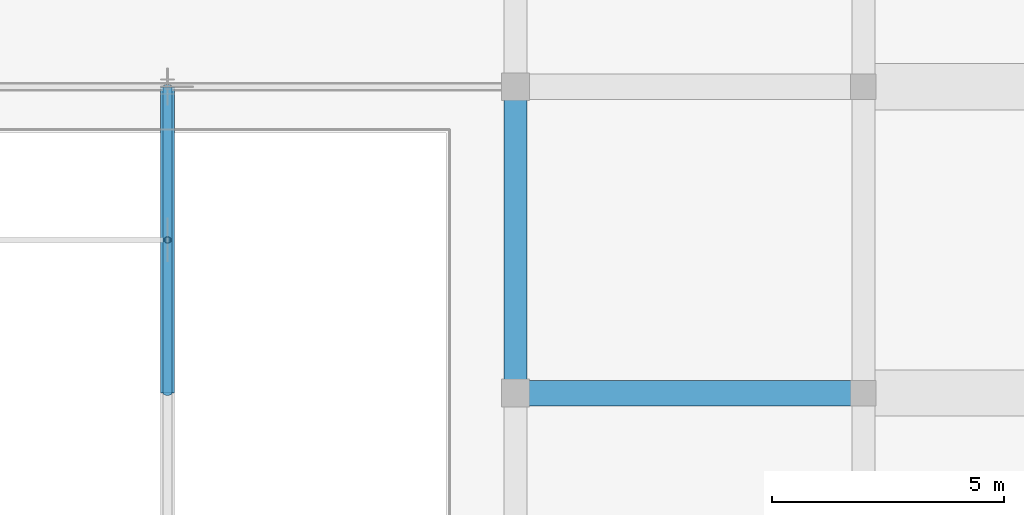
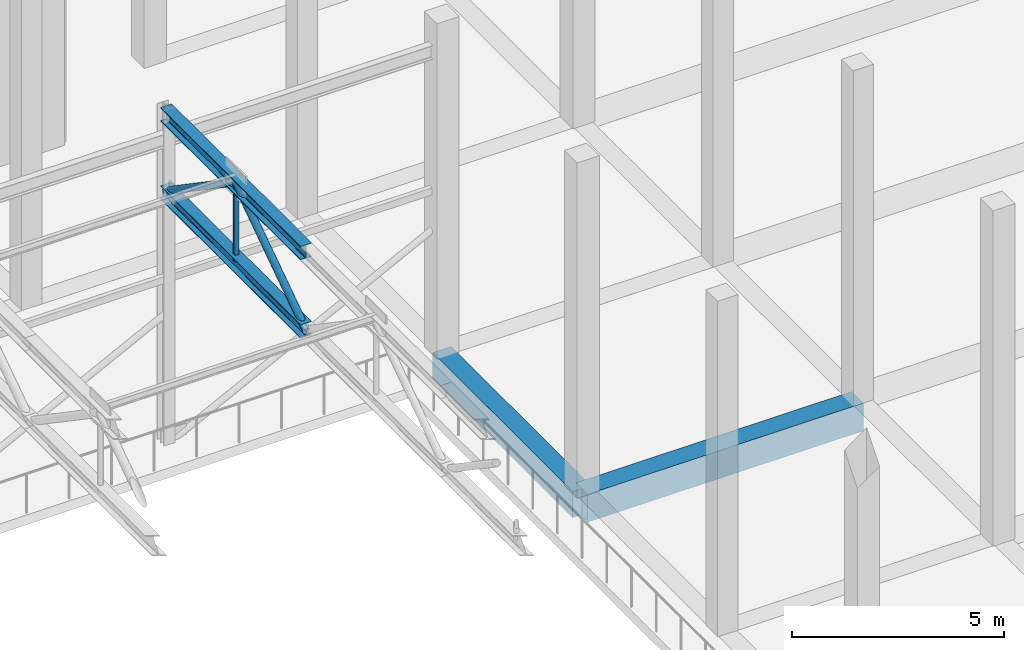
# One storey, part 45 of 80: 5 members, 2 beams.
"""IFC4 building model written with IfcOpenShell, lengths in metres."""

from ifc_helpers import new_model, si_unit, direction, frame, origin, origin_2d, place, context, subcontext, project, spatial, rectangle, hollow_circle, i_section, extrude, material, material_profile, profile_set, type_object, element, save


model = new_model("IFC4")

# Units and contexts
model_context = context("Model", 3, precision=1e-05, world=origin(), true_north=direction((0.0, 1.0)))
body_context = subcontext(model_context, "Body", "Model", "MODEL_VIEW")
ifc_project = project(units=[si_unit("LENGTHUNIT", "METRE"), si_unit("AREAUNIT", "SQUARE_METRE"), si_unit("VOLUMEUNIT", "CUBIC_METRE"), si_unit("PLANEANGLEUNIT", "RADIAN"), si_unit("MASSUNIT", "GRAM", prefix="KILO")], contexts=[model_context])

# Site, building, storey
site_placement = place(None, origin())
site = spatial("IfcSite", under=ifc_project, at=site_placement, CompositionType="ELEMENT")
building_placement = place(site_placement, origin())
building = spatial("IfcBuilding", under=site, at=building_placement, Name="Akrevak Sports Hall", CompositionType="ELEMENT")
storey_placement = place(building_placement, frame((0.0, 0.0, 14.0)))
storey = spatial("IfcBuildingStorey", under=building, at=storey_placement, Name="L03", CompositionType="ELEMENT", Elevation=14.0)

# Beams
ifc_material_1 = material(Name="Concrete C40/50", Category="concrete")
ifc_material_profile_1 = material_profile(ifc_material_1, rectangle(XDim=0.5, YDim=0.75, at=origin_2d()), Name="BM 500x750", Category="concrete")
ifc_profile_set_1 = profile_set([ifc_material_profile_1], Name="Concrete C40/50")
beam_type_1 = type_object("IfcBeamType", Name="STR-BM-RC500x750", PredefinedType="BEAM", material=ifc_profile_set_1)
beam_1_placement = place(storey_placement, frame((138.0, 42.0, -0.375), z_axis=(0.0, 1.0, 0.0), x_axis=(-1.0, 0.0, 0.0)))
element("IfcBeam", 1, at=beam_1_placement, inside=storey, type_object=beam_type_1, Name="Girder 19/G-H (L03)", PredefinedType="BEAM", context=body_context, shape_type="SweptSolid", body=[
    extrude(rectangle(XDim=0.5, YDim=0.75, at=origin_2d()), origin(), (0.0, 0.0, 1.0), 6.60009765625),
])
ifc_material_profile_2 = material_profile(ifc_material_1, rectangle(XDim=0.550048828125, YDim=0.800048828125, at=origin_2d()), Name="BM 550x800", Category="concrete")
ifc_profile_set_2 = profile_set([ifc_material_profile_2], Name="Concrete C40/50")
beam_type_2 = type_object("IfcBeamType", Name="STR-BM-RC550x800", PredefinedType="BEAM", material=ifc_profile_set_2)
beam_2_placement = place(storey_placement, frame((138.0, 42.0, -0.39990234375), z_axis=(1.0, 0.0, 0.0), x_axis=(0.0, 1.0, 0.0)))
element("IfcBeam", 2, at=beam_2_placement, inside=storey, type_object=beam_type_2, Name="Girder G/19-20 (L03)", PredefinedType="BEAM", context=body_context, shape_type="SweptSolid", body=[
    extrude(rectangle(XDim=0.550048828125, YDim=0.800048828125, at=origin_2d()), origin(), (0.0, 0.0, 1.0), 7.5),
])

# Members
ifc_material_2 = material(Name="Steel S355", Category="steel")
ifc_material_profile_3 = material_profile(ifc_material_2, hollow_circle(Radius=0.06982421875, WallThickness=0.008056640625, at=origin_2d()), Name="CHS 139.7x8", Category="steel")
ifc_profile_set_3 = profile_set([ifc_material_profile_3], Name="Steel S355")
member_type_1 = type_object("IfcMemberType", Name="STR-MEM-BRACE-CHS139", PredefinedType="BRACE", material=ifc_profile_set_3)
member_1_placement = place(storey_placement, frame((130.5, 45.300048828125, 7.18994140625), z_axis=(0.0, 0.0, 1.0), x_axis=(1.0, 0.0, 0.0)))
element("IfcMember", 3, at=member_1_placement, inside=storey, type_object=member_type_1, Name="Roof Truss 4 Web Post 3", PredefinedType="BRACE", context=body_context, shape_type="SweptSolid", body=[
    extrude(hollow_circle(Radius=0.06982421875, WallThickness=0.008056640625, at=origin_2d()), origin(), (0.0, 0.0, 1.0), 2.25),
])
ifc_material_profile_4 = material_profile(ifc_material_2, hollow_circle(Radius=0.096923828125, WallThickness=0.010009765625, at=origin_2d()), Name="CHS 193.7x10", Category="steel")
ifc_profile_set_4 = profile_set([ifc_material_profile_4], Name="Steel S355")
member_type_2 = type_object("IfcMemberType", Name="STR-MEM-BRACE-CHS193", PredefinedType="BRACE", material=ifc_profile_set_4)
for number, where, z_axis, x_axis, name in (
    (4, (130.5, 42.0, 7.18994140625), (0.0, 0.826231222393, 0.56333113454), (-1.0, 0.0, 0.0), "Roof Truss 4 Web Diagonal 3A"),
    (5, (130.5, 45.300048828125, 9.43994140625), (0.0, 0.826231222393, -0.56333113454), (-1.0, 0.0, 0.0), "Roof Truss 4 Web Diagonal 3B"),
):
    element("IfcMember", number, at=place(storey_placement, frame(where, z_axis=z_axis, x_axis=x_axis)), inside=storey, type_object=member_type_2, Name=name, PredefinedType="BRACE", context=body_context, shape_type="SweptSolid", body=[
        extrude(hollow_circle(Radius=0.096923828125, WallThickness=0.010009765625, at=origin_2d()), origin(), (0.0, 0.0, 1.0), 3.994140625),
    ])
ifc_material_profile_5 = material_profile(ifc_material_2, i_section(OverallWidth=0.300048828125, OverallDepth=0.389892578125, WebThickness=0.010986328125, FlangeThickness=0.01904296875, FilletRadius=0.027099609375, at=origin_2d()), Name="HEA 400", Category="steel")
ifc_profile_set_5 = profile_set([ifc_material_profile_5], Name="Steel S355")
member_type_3 = type_object("IfcMemberType", Name="STR-MEM-CHORD-HEA400", PredefinedType="CHORD", material=ifc_profile_set_5)
member_2_placement = place(storey_placement, frame((130.5, 42.0, 7.18994140625), z_axis=(0.0, 1.0, 0.0), x_axis=(-1.0, 0.0, 0.0)))
element("IfcMember", 6, at=member_2_placement, inside=storey, type_object=member_type_3, Name="Roof Truss 4 Bottom Chord 3", PredefinedType="CHORD", context=body_context, shape_type="SweptSolid", body=[
    extrude(i_section(OverallWidth=0.300048828125, OverallDepth=0.389892578125, WebThickness=0.010986328125, FlangeThickness=0.01904296875, FilletRadius=0.027099609375, at=origin_2d()), origin(), (0.0, 0.0, 1.0), 6.60009765625),
])
ifc_material_profile_6 = material_profile(ifc_material_2, i_section(OverallWidth=0.300048828125, OverallDepth=0.39990234375, WebThickness=0.013427734375, FlangeThickness=0.02392578125, FilletRadius=0.027099609375, at=origin_2d()), Name="HEB 400", Category="steel")
ifc_profile_set_6 = profile_set([ifc_material_profile_6], Name="Steel S355")
member_type_4 = type_object("IfcMemberType", Name="STR-MEM-CHORD-HEB400", PredefinedType="CHORD", material=ifc_profile_set_6)
member_3_placement = place(storey_placement, frame((130.5, 42.0, 9.43994140625), z_axis=(0.0, 1.0, 0.0), x_axis=(-1.0, 0.0, 0.0)))
element("IfcMember", 7, at=member_3_placement, inside=storey, type_object=member_type_4, Name="Roof Truss 4 Top Chord 3", PredefinedType="CHORD", context=body_context, shape_type="SweptSolid", body=[
    extrude(i_section(OverallWidth=0.300048828125, OverallDepth=0.39990234375, WebThickness=0.013427734375, FlangeThickness=0.02392578125, FilletRadius=0.027099609375, at=origin_2d()), origin(), (0.0, 0.0, 1.0), 6.60009765625),
])

save(model, "model.ifc")
